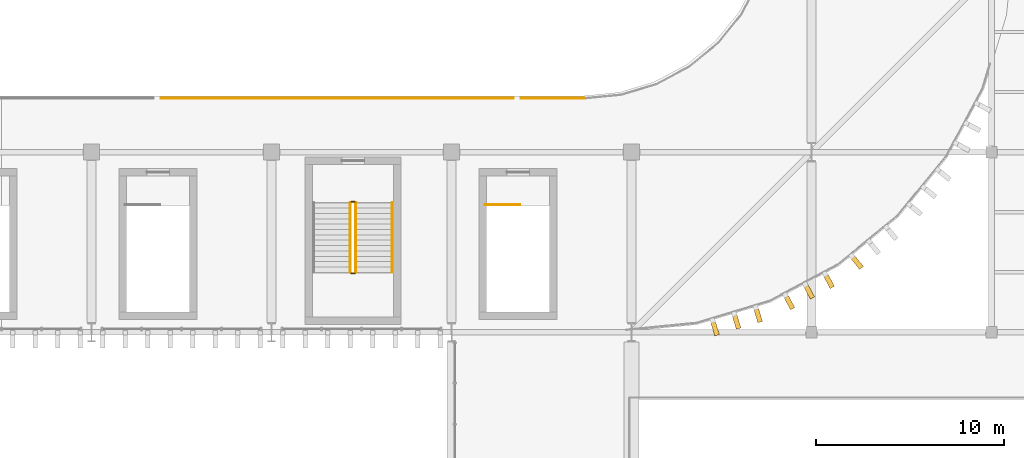
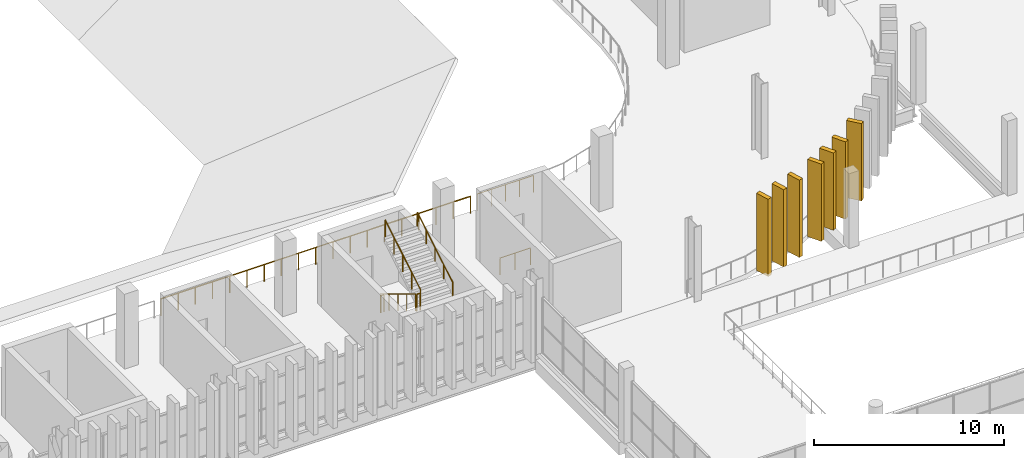
# One storey, part 91 of 99: 8 railings, 7 coverings.
"""IFC4 building model written with IfcOpenShell, lengths in metres."""

from ifc_helpers import new_model, si_unit, direction, frame, origin, origin_2d, place, context, subcontext, project, spatial, rectangle, circle, extrude, material, material_profile, profile_set, type_object, element, save


model = new_model("IFC4")

# Units and contexts
model_context = context("Model", 3, precision=1e-05, world=origin(), true_north=direction((0.0, 1.0)))
body_context = subcontext(model_context, "Body", "Model", "MODEL_VIEW")
ifc_project = project(units=[si_unit("LENGTHUNIT", "METRE"), si_unit("AREAUNIT", "SQUARE_METRE"), si_unit("VOLUMEUNIT", "CUBIC_METRE"), si_unit("PLANEANGLEUNIT", "RADIAN"), si_unit("MASSUNIT", "GRAM", prefix="KILO")], contexts=[model_context])

# Site, building, storey
site_placement = place(None, origin())
site = spatial("IfcSite", under=ifc_project, at=site_placement, CompositionType="ELEMENT")
building_placement = place(site_placement, origin())
building = spatial("IfcBuilding", under=site, at=building_placement, Name="Caelomonte Colonnade Arena", CompositionType="ELEMENT")
storey_placement = place(building_placement, frame((0.0, 0.0, 4.800048828125)))
storey = spatial("IfcBuildingStorey", under=building, at=storey_placement, Name="L01", CompositionType="ELEMENT", Elevation=4.800048828125)

# Coverings
ifc_material_1 = material(Name="Precast travertine cladding", Category="masonry")
ifc_material_profile = material_profile(ifc_material_1, rectangle(XDim=0.260009765625, YDim=0.85009765625, at=origin_2d()), Name="FIN260X850")
ifc_profile_set = profile_set([ifc_material_profile], Name="Precast travertine cladding")
covering_type = type_object("IfcCoveringType", Name="ENV-FN-SHAFT", PredefinedType="CLADDING", material=ifc_profile_set)
for number, where, z_axis, x_axis, name in (
    (1, (148.4404296875, 19.44970703125, -0.16015625), (0.0, 0.0, 1.0), (-0.956942868907, -0.290276326364, 0.0), "V1 L01 classical travertine vertical fin 4"),
    (2, (149.5888671875, 19.798095703125, -0.16015625), (0.0, 0.0, 1.0), (-0.956942868907, -0.290276326364, 0.0), "V1 L01 classical travertine vertical fin 5"),
    (3, (150.7373046875, 20.146484375, -0.16015625), (0.0, 0.0, 1.0), (-0.956942868907, -0.290276326364, 0.0), "V1 L01 classical travertine vertical fin 6"),
    (4, (152.391845703125, 20.831787109375, -0.16015625), (0.0, 0.0, 1.0), (-0.881921264348, -0.471396736826, 0.0), "V1 L01 classical travertine vertical fin 7"),
    (5, (153.4501953125, 21.3974609375, -0.16015625), (0.0, 0.0, 1.0), (-0.881921264348, -0.471396736826, 0.0), "V1 L01 classical travertine vertical fin 8"),
    (6, (154.508544921875, 21.963134765625, -0.16015625), (0.0, 0.0, 1.0), (-0.881921264348, -0.471396736826, 0.0), "V1 L01 classical travertine vertical fin 9"),
    (7, (155.99755859375, 22.958251953125, -0.16015625), (0.0, 0.0, 1.0), (-0.77299384472, -0.634413521313, 0.0), "V1 L01 classical travertine vertical fin 10"),
):
    element("IfcCovering", number, at=place(storey_placement, frame(where, z_axis=z_axis, x_axis=x_axis)), inside=storey, type_object=covering_type, Name=name, PredefinedType="CLADDING", context=body_context, shape_type="SweptSolid", body=[
        extrude(rectangle(XDim=0.260009765625, YDim=0.85009765625, at=origin_2d()), origin(), (0.0, 0.0, 1.0), 4.960205078125),
    ])

# Railings
ifc_material_2 = material(Name="Painted galvanized steel handrail and posts", Category="steel")
railing_type_1 = type_object("IfcRailingType", Name="ENV-RL-GRD1", PredefinedType="GUARDRAIL", material=ifc_material_2)
railing_1_placement = place(storey_placement, frame((118.906982421875, 31.679931640625, 0.0)))
element("IfcRailing", 8, at=railing_1_placement, inside=storey, type_object=railing_type_1, Name="L01 lower concourse bowl guard 6", PredefinedType="GUARDRAIL", context=body_context, shape_type="SweptSolid", body=[
    extrude(circle(Radius=0.02392578125, at=origin_2d()), frame((0.0, 0.0, 1.076171875), z_axis=(1.0, 0.0, 0.0), x_axis=(0.0, 1.0, 0.0)), (0.0, 0.0, 1.0), 18.7861328125),
    extrude(circle(Radius=0.02099609375, at=origin_2d()), origin(), (0.0, 0.0, 1.0), 1.048095703125),
    extrude(circle(Radius=0.02099609375, at=origin_2d()), frame((1.043701171875, 0.0, 0.0)), (0.0, 0.0, 1.0), 1.048095703125),
    extrude(circle(Radius=0.02099609375, at=origin_2d()), frame((2.08740234375, 0.0, 0.0)), (0.0, 0.0, 1.0), 1.048095703125),
    extrude(circle(Radius=0.02099609375, at=origin_2d()), frame((3.131103515625, 0.0, 0.0)), (0.0, 0.0, 1.0), 1.048095703125),
    extrude(circle(Radius=0.02099609375, at=origin_2d()), frame((4.1748046875, 0.0, 0.0)), (0.0, 0.0, 1.0), 1.048095703125),
    extrude(circle(Radius=0.02099609375, at=origin_2d()), frame((5.21826171875, 0.0, 0.0)), (0.0, 0.0, 1.0), 1.048095703125),
    extrude(circle(Radius=0.02099609375, at=origin_2d()), frame((6.261962890625, 0.0, 0.0)), (0.0, 0.0, 1.0), 1.048095703125),
    extrude(circle(Radius=0.02099609375, at=origin_2d()), frame((7.3056640625, 0.0, 0.0)), (0.0, 0.0, 1.0), 1.048095703125),
    extrude(circle(Radius=0.02099609375, at=origin_2d()), frame((8.349365234375, 0.0, 0.0)), (0.0, 0.0, 1.0), 1.048095703125),
    extrude(circle(Radius=0.02099609375, at=origin_2d()), frame((9.39306640625, 0.0, 0.0)), (0.0, 0.0, 1.0), 1.048095703125),
    extrude(circle(Radius=0.02099609375, at=origin_2d()), frame((10.436767578125, 0.0, 0.0)), (0.0, 0.0, 1.0), 1.048095703125),
    extrude(circle(Radius=0.02099609375, at=origin_2d()), frame((11.48046875, 0.0, 0.0)), (0.0, 0.0, 1.0), 1.048095703125),
    extrude(circle(Radius=0.02099609375, at=origin_2d()), frame((12.524169921875, 0.0, 0.0)), (0.0, 0.0, 1.0), 1.048095703125),
    extrude(circle(Radius=0.02099609375, at=origin_2d()), frame((13.56787109375, 0.0, 0.0)), (0.0, 0.0, 1.0), 1.048095703125),
    extrude(circle(Radius=0.02099609375, at=origin_2d()), frame((14.611328125, 0.0, 0.0)), (0.0, 0.0, 1.0), 1.048095703125),
    extrude(circle(Radius=0.02099609375, at=origin_2d()), frame((15.655029296875, 0.0, 0.0)), (0.0, 0.0, 1.0), 1.048095703125),
    extrude(circle(Radius=0.02099609375, at=origin_2d()), frame((16.69873046875, 0.0, 0.0)), (0.0, 0.0, 1.0), 1.048095703125),
    extrude(circle(Radius=0.02099609375, at=origin_2d()), frame((17.742431640625, 0.0, 0.0)), (0.0, 0.0, 1.0), 1.048095703125),
    extrude(circle(Radius=0.02099609375, at=origin_2d()), frame((18.7861328125, 0.0, 0.0)), (0.0, 0.0, 1.0), 1.048095703125),
])
railing_2_placement = place(storey_placement, frame((138.10693359375, 31.679931640625, 0.0)))
element("IfcRailing", 9, at=railing_2_placement, inside=storey, type_object=railing_type_1, Name="L01 lower concourse bowl guard 7", PredefinedType="GUARDRAIL", context=body_context, shape_type="SweptSolid", body=[
    extrude(circle(Radius=0.02392578125, at=origin_2d()), frame((0.0, 0.0, 1.076171875), z_axis=(1.0, 0.0, 0.0), x_axis=(0.0, 1.0, 0.0)), (0.0, 0.0, 1.0), 3.4130859375),
    extrude(circle(Radius=0.02099609375, at=origin_2d()), origin(), (0.0, 0.0, 1.0), 1.048095703125),
    extrude(circle(Radius=0.02099609375, at=origin_2d()), frame((0.853271484375, 0.0, 0.0)), (0.0, 0.0, 1.0), 1.048095703125),
    extrude(circle(Radius=0.02099609375, at=origin_2d()), frame((1.70654296875, 0.0, 0.0)), (0.0, 0.0, 1.0), 1.048095703125),
    extrude(circle(Radius=0.02099609375, at=origin_2d()), frame((2.559814453125, 0.0, 0.0)), (0.0, 0.0, 1.0), 1.048095703125),
    extrude(circle(Radius=0.02099609375, at=origin_2d()), frame((3.4130859375, 0.0, 0.0)), (0.0, 0.0, 1.0), 1.048095703125),
])
ifc_material_3 = material(Name="Painted galvanized steel stair guard", Category="steel")
railing_type_2 = type_object("IfcRailingType", Name="INT-RL-GRD", PredefinedType="GUARDRAIL", material=ifc_material_3)
railing_3_placement = place(storey_placement, frame((129.0, 26.10009765625, 0.17138671875)))
element("IfcRailing", 10, at=railing_3_placement, inside=storey, type_object=railing_type_2, Name="L01 ST-13 stair guard 1", PredefinedType="GUARDRAIL", context=body_context, shape_type="SweptSolid", body=[
    extrude(circle(Radius=0.02392578125, at=origin_2d()), frame((0.0, 0.0, 1.076171875), z_axis=(0.0, -0.856934400257, 0.515425487977), x_axis=(1.0, 0.0, 0.0)), (0.0, 0.0, 1.0), 4.32373046875),
    extrude(circle(Radius=0.02099609375, at=origin_2d()), origin(), (0.0, 0.0, 1.0), 1.048095703125),
    extrude(circle(Radius=0.02099609375, at=origin_2d()), frame((0.0, -0.92626953125, 0.55712890625)), (0.0, 0.0, 1.0), 1.048095703125),
    extrude(circle(Radius=0.02099609375, at=origin_2d()), frame((0.0, -1.8525390625, 1.1142578125)), (0.0, 0.0, 1.0), 1.048095703125),
    extrude(circle(Radius=0.02099609375, at=origin_2d()), frame((0.0, -2.77880859375, 1.67138671875)), (0.0, 0.0, 1.0), 1.048095703125),
    extrude(circle(Radius=0.02099609375, at=origin_2d()), frame((0.0, -3.705078125, 2.228515625)), (0.0, 0.0, 1.0), 1.048095703125),
])
railing_4_placement = place(storey_placement, frame((129.050048828125, 22.344970703125, 2.39990234375)))
element("IfcRailing", 11, at=railing_4_placement, inside=storey, type_object=railing_type_2, Name="L01 ST-13 stair guard 2", PredefinedType="GUARDRAIL", context=body_context, shape_type="SweptSolid", body=[
    extrude(circle(Radius=0.02392578125, at=origin_2d()), frame((0.0, 0.0, 1.076171875), z_axis=(1.0, 0.0, 0.0), x_axis=(0.0, 1.0, 0.0)), (0.0, 0.0, 1.0), 0.199951171875),
    extrude(circle(Radius=0.02099609375, at=origin_2d()), origin(), (0.0, 0.0, 1.0), 1.048095703125),
    extrude(circle(Radius=0.02099609375, at=origin_2d()), frame((0.199951171875, 0.0, 0.0)), (0.0, 0.0, 1.0), 1.048095703125),
])
railing_5_placement = place(storey_placement, frame((129.300048828125, 22.39501953125, 2.5712890625)))
element("IfcRailing", 12, at=railing_5_placement, inside=storey, type_object=railing_type_2, Name="L01 ST-13 stair guard 3", PredefinedType="GUARDRAIL", context=body_context, shape_type="SweptSolid", body=[
    extrude(circle(Radius=0.02392578125, at=origin_2d()), frame((0.0, 0.0, 1.076171875), z_axis=(0.0, 0.856909459561, 0.515466951525), x_axis=(-1.0, 0.0, 0.0)), (0.0, 0.0, 1.0), 4.32373046875),
    extrude(circle(Radius=0.02099609375, at=origin_2d()), origin(), (0.0, 0.0, 1.0), 1.048095703125),
    extrude(circle(Radius=0.02099609375, at=origin_2d()), frame((0.0, 0.92626953125, 0.55712890625)), (0.0, 0.0, 1.0), 1.048095703125),
    extrude(circle(Radius=0.02099609375, at=origin_2d()), frame((0.0, 1.8525390625, 1.1142578125)), (0.0, 0.0, 1.0), 1.048095703125),
    extrude(circle(Radius=0.02099609375, at=origin_2d()), frame((0.0, 2.77880859375, 1.671630859375)), (0.0, 0.0, 1.0), 1.048095703125),
    extrude(circle(Radius=0.02099609375, at=origin_2d()), frame((0.0, 3.705078125, 2.228759765625)), (0.0, 0.0, 1.0), 1.048095703125),
])
railing_6_placement = place(storey_placement, frame((129.050048828125, 26.14990234375, 0.0)))
element("IfcRailing", 13, at=railing_6_placement, inside=storey, type_object=railing_type_2, Name="L01 ST-13 stair guard 4", PredefinedType="GUARDRAIL", context=body_context, shape_type="SweptSolid", body=[
    extrude(circle(Radius=0.02392578125, at=origin_2d()), frame((0.0, 0.0, 1.076171875), z_axis=(1.0, 0.0, 0.0), x_axis=(0.0, 1.0, 0.0)), (0.0, 0.0, 1.0), 0.199951171875),
    extrude(circle(Radius=0.02099609375, at=origin_2d()), origin(), (0.0, 0.0, 1.0), 1.048095703125),
    extrude(circle(Radius=0.02099609375, at=origin_2d()), frame((0.199951171875, 0.0, 0.0)), (0.0, 0.0, 1.0), 1.048095703125),
])
railing_7_placement = place(storey_placement, frame((136.199951171875, 26.0, 0.0)))
element("IfcRailing", 14, at=railing_7_placement, inside=storey, type_object=railing_type_2, Name="L01 ST-V04 top well guard 1", PredefinedType="GUARDRAIL", context=body_context, shape_type="SweptSolid", body=[
    extrude(circle(Radius=0.02392578125, at=origin_2d()), frame((0.0, 0.0, 1.076171875), z_axis=(1.0, 0.0, 0.0), x_axis=(0.0, 1.0, 0.0)), (0.0, 0.0, 1.0), 1.85009765625),
    extrude(circle(Radius=0.02099609375, at=origin_2d()), origin(), (0.0, 0.0, 1.0), 1.048095703125),
    extrude(circle(Radius=0.02099609375, at=origin_2d()), frame((0.925048828125, 0.0, 0.0)), (0.0, 0.0, 1.0), 1.048095703125),
    extrude(circle(Radius=0.02099609375, at=origin_2d()), frame((1.85009765625, 0.0, 0.0)), (0.0, 0.0, 1.0), 1.048095703125),
])
ifc_material_4 = material(Name="Brushed stainless steel stair handrail", Category="steel")
railing_type_3 = type_object("IfcRailingType", Name="INT-RL-HR", PredefinedType="HANDRAIL", material=ifc_material_4)
railing_8_placement = place(storey_placement, frame((131.25, 22.39501953125, 2.5712890625)))
element("IfcRailing", 15, at=railing_8_placement, inside=storey, type_object=railing_type_3, Name="L01 ST-13 stair handrail 2", PredefinedType="HANDRAIL", context=body_context, shape_type="SweptSolid", body=[
    extrude(circle(Radius=0.02392578125, at=origin_2d()), frame((0.0, 0.0, 0.8759765625), z_axis=(0.0, 0.856909459561, 0.515466951525), x_axis=(-1.0, 0.0, 0.0)), (0.0, 0.0, 1.0), 4.32373046875),
    extrude(circle(Radius=0.02099609375, at=origin_2d()), origin(), (0.0, 0.0, 1.0), 0.847900390625),
    extrude(circle(Radius=0.02099609375, at=origin_2d()), frame((0.0, 0.92626953125, 0.55712890625)), (0.0, 0.0, 1.0), 0.847900390625),
    extrude(circle(Radius=0.02099609375, at=origin_2d()), frame((0.0, 1.8525390625, 1.1142578125)), (0.0, 0.0, 1.0), 0.847900390625),
    extrude(circle(Radius=0.02099609375, at=origin_2d()), frame((0.0, 2.77880859375, 1.671630859375)), (0.0, 0.0, 1.0), 0.847900390625),
    extrude(circle(Radius=0.02099609375, at=origin_2d()), frame((0.0, 3.705078125, 2.228759765625)), (0.0, 0.0, 1.0), 0.847900390625),
])

save(model, "model.ifc")
